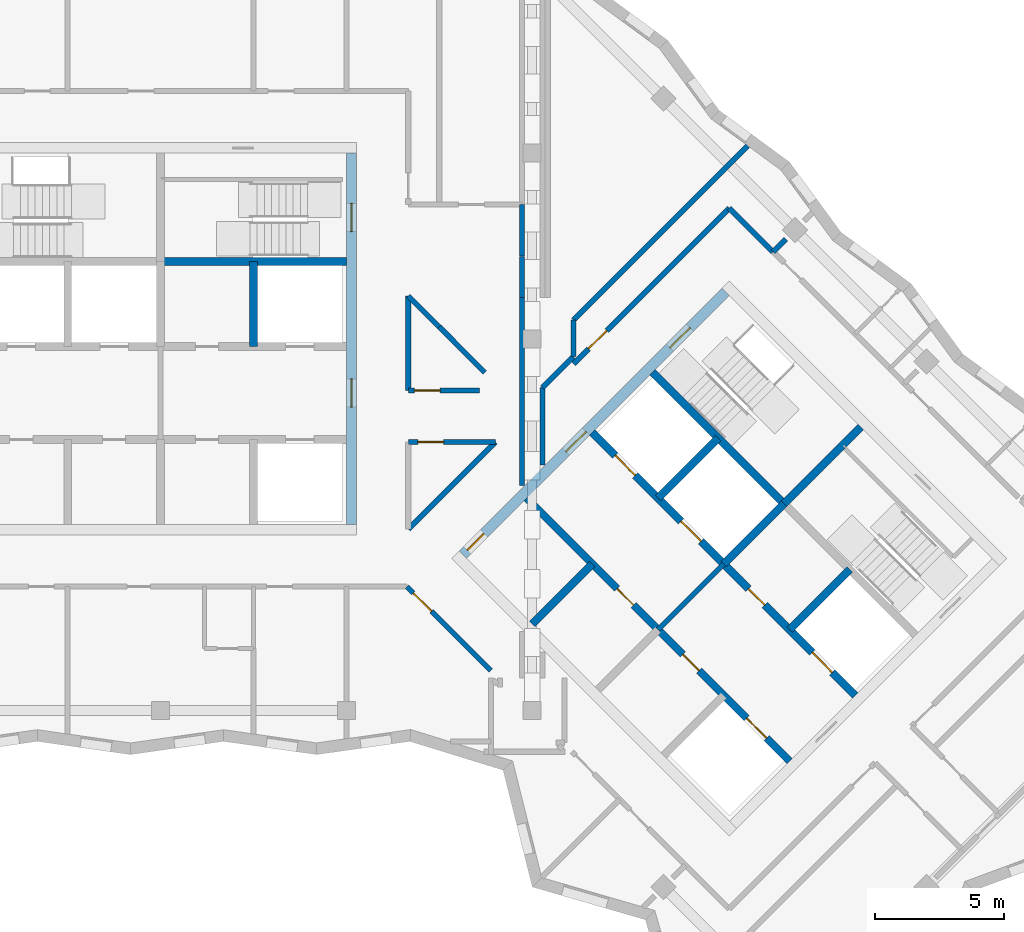
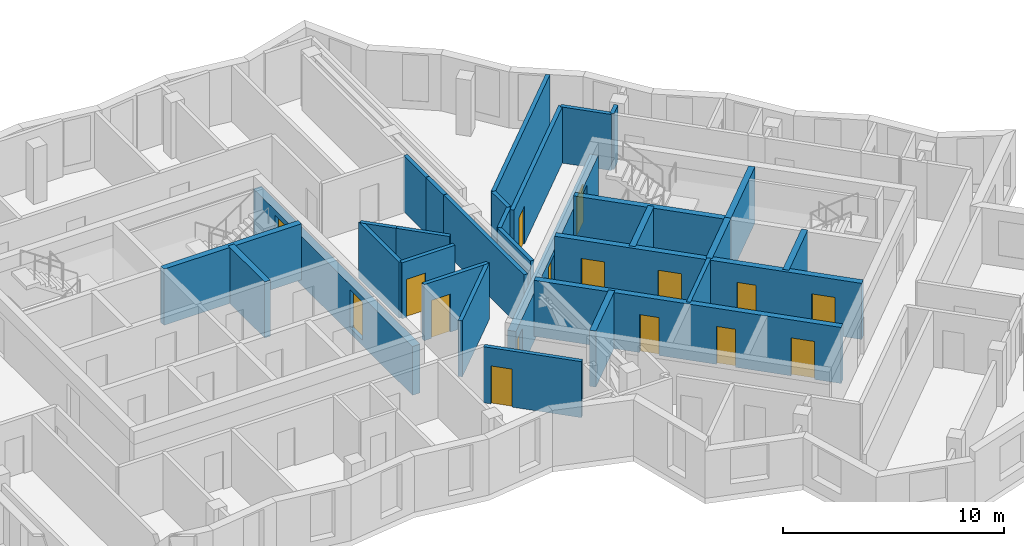
# One storey, part 5 of 12: 30 walls, 16 doors, 16 openings.
"""IFC4 building model written with IfcOpenShell, lengths in metres."""

from ifc_helpers import new_model, si_unit, direction, frame, frame_2d, origin, place, context, subcontext, project, spatial, rectangle, extrude, material, layer, layer_set, type_object, element, fill, save


model = new_model("IFC4")

# Units and contexts
model_context = context("Model", 3, precision=1e-05, world=origin(), true_north=direction((0.0, 1.0)))
body_context = subcontext(model_context, "Body", "Model", "MODEL_VIEW")
ifc_project = project(units=[si_unit("LENGTHUNIT", "METRE"), si_unit("AREAUNIT", "SQUARE_METRE"), si_unit("VOLUMEUNIT", "CUBIC_METRE"), si_unit("PLANEANGLEUNIT", "RADIAN"), si_unit("MASSUNIT", "GRAM", prefix="KILO")], contexts=[model_context])

# Site, building, storey
site_placement = place(None, origin())
site = spatial("IfcSite", under=ifc_project, at=site_placement, CompositionType="ELEMENT")
building_placement = place(site_placement, origin())
building = spatial("IfcBuilding", under=site, at=building_placement, Name="Windrow Commons", CompositionType="ELEMENT")
storey_placement = place(building_placement, frame((0.0, 0.0, 267.6)))
storey = spatial("IfcBuildingStorey", under=building, at=storey_placement, Name="L73", CompositionType="ELEMENT", Elevation=267.6)

# Wall
ifc_material_1 = material(Name="Blockwork partition", Category="masonry")
ifc_layer_1 = layer(ifc_material_1, 0.2)
ifc_layer_set_1 = layer_set([ifc_layer_1], Name="Fire lobby partition 200")
wall_type_1 = type_object("IfcWallType", Name="Fire lobby partition 200", PredefinedType="PARTITIONING", material=ifc_layer_set_1)
wall_1_placement = place(storey_placement, frame((84.079, 46.332, 0.0), z_axis=(0.0, 0.0, 1.0), x_axis=(0.7071067812, 0.7071067812, 0.0)))
element("IfcWall", 1, at=wall_1_placement, inside=storey, type_object=wall_type_1, Name="W-core-lobby-B-L73", PredefinedType="PARTITIONING", context=body_context, shape_type="SweptSolid", body=[
    extrude(rectangle(XDim=3.6, YDim=0.2, at=frame_2d((1.8, 0.0))), origin(), (0.0, 0.0, 1.0), 3.1),
])

# Wall, opening, door
ifc_material_2 = material(Name="Blockwork partition", Category="masonry")
ifc_layer_2 = layer(ifc_material_2, 0.2)
ifc_layer_set_2 = layer_set([ifc_layer_2], Name="IW-CORRIDOR-200")
wall_type_2 = type_object("IfcWallType", Name="IW-CORRIDOR-200", PredefinedType="PARTITIONING", material=ifc_layer_set_2)
wall_2_placement = place(storey_placement, frame((80.8015, 56.6325, 0.0), z_axis=(0.0, 0.0, 1.0), x_axis=(0.7071067812, 0.7071067812, 0.0)))
wall_2 = element("IfcWall", 2, at=wall_2_placement, inside=storey, type_object=wall_type_2, Name="W-L73-W020", PredefinedType="PARTITIONING", context=body_context, shape_type="SweptSolid", body=[
    extrude(rectangle(XDim=8.5334, YDim=0.2, at=frame_2d((4.2667, 0.0))), origin(), (0.0, 0.0, 1.0), 3.1),
])
opening_1_placement = place(wall_2_placement, frame((0.8172, 0.0, 0.0)))
opening_1 = element("IfcOpeningElement", 3, at=opening_1_placement, cuts=wall_2, Name="Opening D310F", PredefinedType="OPENING", context=body_context, shape_type="SweptSolid", body=[
    extrude(rectangle(XDim=1.0, YDim=2.1, at=frame_2d((0.5, 1.05))), frame((0.0, 0.11, 0.0), z_axis=(0.0, -1.0, 0.0), x_axis=(1.0, 0.0, 0.0)), (0.0, 0.0, 1.0), 0.22),
])
ifc_material_3 = material(Name="Timber door leaf", Category="wood")
door_type_1 = type_object("IfcDoorType", Name="DT-AMENITY-1000", OperationType="SINGLE_SWING_LEFT", PredefinedType="DOOR", material=ifc_material_3)
door_1_placement = place(opening_1_placement, origin())
door_1 = element("IfcDoor", 4, at=door_1_placement, inside=storey, type_object=door_type_1, Name="D-L73-D027", OperationType="SINGLE_SWING_RIGHT", OverallHeight=2.1, OverallWidth=1.0, PredefinedType="DOOR", context=body_context, shape_type="SweptSolid", body=[
    extrude(rectangle(XDim=1.0, YDim=2.1, at=frame_2d((0.5, 1.05))), frame((0.0, 0.025, 0.0), z_axis=(0.0, -1.0, 0.0), x_axis=(1.0, 0.0, 0.0)), (0.0, 0.0, 1.0), 0.05),
])
fill(opening_1, door_1)

# Walls
wall_3_placement = place(storey_placement, frame((78.8, 51.914, 0.0), z_axis=(0.0, 0.0, 1.0), x_axis=(0.0, 1.0, 0.0)))
element("IfcWall", 5, at=wall_3_placement, inside=storey, type_object=wall_type_2, Name="W-L73-W022", PredefinedType="PARTITIONING", context=body_context, shape_type="SweptSolid", body=[
    extrude(rectangle(XDim=7.28, YDim=0.2, at=frame_2d((3.64, 0.0))), origin(), (0.0, 0.0, 1.0), 3.1),
])
wall_4_placement = place(storey_placement, frame((74.4015, 50.2325, 0.0), z_axis=(0.0, 0.0, 1.0), x_axis=(0.7071067812, 0.7071067812, 0.0)))
element("IfcWall", 6, at=wall_4_placement, inside=storey, type_object=wall_type_2, Name="W-L73-W037", PredefinedType="PARTITIONING", context=body_context, shape_type="SweptSolid", body=[
    extrude(rectangle(XDim=4.7602, YDim=0.2, at=frame_2d((2.3801, 0.0))), origin(), (0.0, 0.0, 1.0), 3.1),
])

# Wall, opening, door
wall_5_placement = place(storey_placement, frame((74.3468, 47.9968, 0.0), z_axis=(0.0, 0.0, 1.0), x_axis=(0.7071067812, -0.7071067812, 0.0)))
wall_5 = element("IfcWall", 7, at=wall_5_placement, inside=storey, type_object=wall_type_2, Name="W-L73-W038", PredefinedType="PARTITIONING", context=body_context, shape_type="SweptSolid", body=[
    extrude(rectangle(XDim=4.5962, YDim=0.2, at=frame_2d((2.2981, 0.0))), origin(), (0.0, 0.0, 1.0), 3.1),
])
opening_2_placement = place(wall_5_placement, frame((0.3498, 0.0, 0.0)))
opening_2 = element("IfcOpeningElement", 8, at=opening_2_placement, cuts=wall_5, Name="Opening D310F", PredefinedType="OPENING", context=body_context, shape_type="SweptSolid", body=[
    extrude(rectangle(XDim=1.0, YDim=2.1, at=frame_2d((0.5, 1.05))), frame((0.0, 0.11, 0.0), z_axis=(0.0, -1.0, 0.0), x_axis=(1.0, 0.0, 0.0)), (0.0, 0.0, 1.0), 0.22),
])
door_2_placement = place(opening_2_placement, origin())
door_2 = element("IfcDoor", 9, at=door_2_placement, inside=storey, type_object=door_type_1, Name="D-L73-D013", OperationType="SINGLE_SWING_LEFT", OverallHeight=2.1, OverallWidth=1.0, PredefinedType="DOOR", context=body_context, shape_type="SweptSolid", body=[
    extrude(rectangle(XDim=1.0, YDim=2.1, at=frame_2d((0.5, 1.05))), frame((0.0, 0.025, 0.0), z_axis=(0.0, -1.0, 0.0), x_axis=(1.0, 0.0, 0.0)), (0.0, 0.0, 1.0), 0.05),
])
fill(opening_2, door_2)

# Wall
wall_6_placement = place(storey_placement, frame((74.4, 55.602, 0.0), z_axis=(0.0, 0.0, 1.0), x_axis=(0.0, 1.0, 0.0)))
element("IfcWall", 10, at=wall_6_placement, inside=storey, type_object=wall_type_2, Name="W-L73-W056", PredefinedType="PARTITIONING", context=body_context, shape_type="SweptSolid", body=[
    extrude(rectangle(XDim=3.66, YDim=0.2, at=frame_2d((1.83, 0.0))), origin(), (0.0, 0.0, 1.0), 3.1),
])

# Wall, opening, door
wall_7_placement = place(storey_placement, frame((74.402, 53.6, 0.0), z_axis=(0.0, 0.0, 1.0), x_axis=(1.0, 0.0, 0.0)))
wall_7 = element("IfcWall", 11, at=wall_7_placement, inside=storey, type_object=wall_type_2, Name="W-L73-W058", PredefinedType="PARTITIONING", context=body_context, shape_type="SweptSolid", body=[
    extrude(rectangle(XDim=3.366, YDim=0.2, at=frame_2d((1.683, 0.0))), origin(), (0.0, 0.0, 1.0), 3.1),
])
opening_3_placement = place(wall_7_placement, frame((0.3672, 0.0, 0.0)))
opening_3 = element("IfcOpeningElement", 12, at=opening_3_placement, cuts=wall_7, Name="Opening D310F", PredefinedType="OPENING", context=body_context, shape_type="SweptSolid", body=[
    extrude(rectangle(XDim=1.0, YDim=2.1, at=frame_2d((0.5, 1.05))), frame((0.0, 0.11, 0.0), z_axis=(0.0, -1.0, 0.0), x_axis=(1.0, 0.0, 0.0)), (0.0, 0.0, 1.0), 0.22),
])
door_3_placement = place(opening_3_placement, origin())
door_3 = element("IfcDoor", 13, at=door_3_placement, inside=storey, type_object=door_type_1, Name="D-L73-D000", OperationType="SINGLE_SWING_RIGHT", OverallHeight=2.1, OverallWidth=1.0, PredefinedType="DOOR", context=body_context, shape_type="SweptSolid", body=[
    extrude(rectangle(XDim=1.0, YDim=2.1, at=frame_2d((0.5, 1.05))), frame((0.0, 0.025, 0.0), z_axis=(0.0, -1.0, 0.0), x_axis=(1.0, 0.0, 0.0)), (0.0, 0.0, 1.0), 0.05),
])
fill(opening_3, door_3)

# Wall
wall_8_placement = place(storey_placement, frame((79.6, 52.714, 0.0), z_axis=(0.0, 0.0, 1.0), x_axis=(0.0, 1.0, 0.0)))
element("IfcWall", 14, at=wall_8_placement, inside=storey, type_object=wall_type_2, Name="W-L73-W061", PredefinedType="PARTITIONING", context=body_context, shape_type="SweptSolid", body=[
    extrude(rectangle(XDim=2.998, YDim=0.2, at=frame_2d((1.499, 0.0))), origin(), (0.0, 0.0, 1.0), 3.1),
])

# Wall, opening, door
wall_9_placement = place(storey_placement, frame((74.402, 55.6, 0.0), z_axis=(0.0, 0.0, 1.0), x_axis=(1.0, 0.0, 0.0)))
wall_9 = element("IfcWall", 15, at=wall_9_placement, inside=storey, type_object=wall_type_2, Name="W-L73-W069", PredefinedType="PARTITIONING", context=body_context, shape_type="SweptSolid", body=[
    extrude(rectangle(XDim=2.758, YDim=0.2, at=frame_2d((1.379, 0.0))), origin(), (0.0, 0.0, 1.0), 3.1),
])
opening_4_placement = place(wall_9_placement, frame((0.2309, 0.0, 0.0)))
opening_4 = element("IfcOpeningElement", 16, at=opening_4_placement, cuts=wall_9, Name="Opening D310F", PredefinedType="OPENING", context=body_context, shape_type="SweptSolid", body=[
    extrude(rectangle(XDim=1.0, YDim=2.1, at=frame_2d((0.5, 1.05))), frame((0.0, 0.11, 0.0), z_axis=(0.0, -1.0, 0.0), x_axis=(1.0, 0.0, 0.0)), (0.0, 0.0, 1.0), 0.22),
])
door_4_placement = place(opening_4_placement, origin())
door_4 = element("IfcDoor", 17, at=door_4_placement, inside=storey, type_object=door_type_1, Name="D-L73-D014", OperationType="SINGLE_SWING_LEFT", OverallHeight=2.1, OverallWidth=1.0, PredefinedType="DOOR", context=body_context, shape_type="SweptSolid", body=[
    extrude(rectangle(XDim=1.0, YDim=2.1, at=frame_2d((0.5, 1.05))), frame((0.0, 0.025, 0.0), z_axis=(0.0, -1.0, 0.0), x_axis=(1.0, 0.0, 0.0)), (0.0, 0.0, 1.0), 0.05),
])
fill(opening_4, door_4)

# Walls
wall_10_placement = place(storey_placement, frame((75.5988, 58.0628, 0.0), z_axis=(0.0, 0.0, 1.0), x_axis=(0.7067069471, -0.7075063893, 0.0)))
element("IfcWall", 18, at=wall_10_placement, inside=storey, type_object=wall_type_2, Name="W-L73-W074", PredefinedType="PARTITIONING", context=body_context, shape_type="SweptSolid", body=[
    extrude(rectangle(XDim=2.5017, YDim=0.2, at=frame_2d((1.2509, 0.0))), origin(), (0.0, 0.0, 1.0), 3.1),
])
wall_11_placement = place(storey_placement, frame((86.8333, 62.6633, 0.0), z_axis=(0.0, 0.0, 1.0), x_axis=(0.7075233388, -0.706689978, 0.0)))
element("IfcWall", 19, at=wall_11_placement, inside=storey, type_object=wall_type_2, Name="W-L73-W079", PredefinedType="PARTITIONING", context=body_context, shape_type="SweptSolid", body=[
    extrude(rectangle(XDim=2.3999, YDim=0.2, at=frame_2d((1.2, 0.0))), origin(), (0.0, 0.0, 1.0), 3.1),
])
wall_12_placement = place(storey_placement, frame((78.8, 60.806, 0.0), z_axis=(0.0, 0.0, 1.0), x_axis=(0.0, 1.0, 0.0)))
element("IfcWall", 20, at=wall_12_placement, inside=storey, type_object=wall_type_2, Name="W-L73-W092", PredefinedType="PARTITIONING", context=body_context, shape_type="SweptSolid", body=[
    extrude(rectangle(XDim=1.994, YDim=0.2, at=frame_2d((0.997, 0.0))), origin(), (0.0, 0.0, 1.0), 3.1),
])
wall_13_placement = place(storey_placement, frame((79.599, 55.713, 0.0), z_axis=(0.0, 0.0, 1.0), x_axis=(0.7071067812, 0.7071067812, 0.0)))
element("IfcWall", 21, at=wall_13_placement, inside=storey, type_object=wall_type_2, Name="W-L73-W097", PredefinedType="PARTITIONING", context=body_context, shape_type="SweptSolid", body=[
    extrude(rectangle(XDim=1.6971, YDim=0.2, at=frame_2d((0.8486, 0.0))), origin(), (0.0, 0.0, 1.0), 3.1),
])
wall_14_placement = place(storey_placement, frame((74.3987, 59.2587, 0.0), z_axis=(0.0, 0.0, 1.0), x_axis=(0.7071067812, -0.7071067812, 0.0)))
element("IfcWall", 22, at=wall_14_placement, inside=storey, type_object=wall_type_2, Name="W-L73-W098", PredefinedType="PARTITIONING", context=body_context, shape_type="SweptSolid", body=[
    extrude(rectangle(XDim=1.6942, YDim=0.2, at=frame_2d((0.8471, 0.0))), origin(), (0.0, 0.0, 1.0), 3.1),
])
wall_15_placement = place(storey_placement, frame((78.8, 59.2, 0.0), z_axis=(0.0, 0.0, 1.0), x_axis=(0.0, 1.0, 0.0)))
element("IfcWall", 23, at=wall_15_placement, inside=storey, type_object=wall_type_2, Name="W-L73-W102", PredefinedType="PARTITIONING", context=body_context, shape_type="SweptSolid", body=[
    extrude(rectangle(XDim=1.6, YDim=0.2, at=frame_2d((0.8, 0.0))), origin(), (0.0, 0.0, 1.0), 3.1),
])
ifc_material_4 = material(Name="Blockwork partition", Category="masonry")
ifc_layer_3 = layer(ifc_material_4, 0.2)
ifc_layer_set_3 = layer_set([ifc_layer_3], Name="IW-PARTY-200")
wall_type_3 = type_object("IfcWallType", Name="IW-PARTY-200", PredefinedType="PARTITIONING", material=ifc_layer_set_3)
wall_16_placement = place(storey_placement, frame((80.7989, 58.3271, 0.0), z_axis=(0.0, 0.0, 1.0), x_axis=(0.7071120163, 0.707101546, 0.0)))
element("IfcWall", 24, at=wall_16_placement, inside=storey, type_object=wall_type_3, Name="W-L73-W016", PredefinedType="PARTITIONING", context=body_context, shape_type="SweptSolid", body=[
    extrude(rectangle(XDim=9.5508, YDim=0.2, at=frame_2d((4.7754, 0.0))), origin(), (0.0, 0.0, 1.0), 3.1),
])
wall_17_placement = place(storey_placement, frame((80.8, 56.912, 0.0), z_axis=(0.0, 0.0, 1.0), x_axis=(0.0, 1.0, 0.0)))
element("IfcWall", 25, at=wall_17_placement, inside=storey, type_object=wall_type_3, Name="W-L73-W110", PredefinedType="PARTITIONING", context=body_context, shape_type="SweptSolid", body=[
    extrude(rectangle(XDim=1.414, YDim=0.2, at=frame_2d((0.707, 0.0))), origin(), (0.0, 0.0, 1.0), 3.1),
])
wall_18_placement = place(storey_placement, frame((88.5335, 60.9705, 0.0), z_axis=(0.0, 0.0, 1.0), x_axis=(0.7071067812, 0.7071067812, 0.0)))
element("IfcWall", 26, at=wall_18_placement, inside=storey, type_object=wall_type_3, Name="W-L73-W126", PredefinedType="PARTITIONING", context=body_context, shape_type="SweptSolid", body=[
    extrude(rectangle(XDim=0.7043, YDim=0.2, at=frame_2d((0.3522, 0.0))), origin(), (0.0, 0.0, 1.0), 3.1),
])

# Wall, openings, doors
ifc_material_5 = material(Name="Concrete C40/50", Category="concrete")
ifc_layer_4 = layer(ifc_material_5, 0.4)
ifc_layer_set_4 = layer_set([ifc_layer_4], Name="RC CORE WALL 400 C40/50")
wall_type_4 = type_object("IfcWallType", Name="RC CORE WALL 400 C40/50", PredefinedType="SHEAR", material=ifc_layer_set_4)
wall_19_placement = place(storey_placement, frame((72.2, 50.4, -0.3), z_axis=(0.0, 0.0, 1.0), x_axis=(0.0, 1.0, 0.0)))
wall_19 = element("IfcWall", 27, at=wall_19_placement, inside=storey, type_object=wall_type_4, Name="Core A wall outer-E", PredefinedType="SHEAR", context=body_context, shape_type="SweptSolid", body=[
    extrude(rectangle(XDim=14.4, YDim=0.4, at=frame_2d((7.2, 0.0))), origin(), (0.0, 0.0, 1.0), 2.7),
])
opening_5_placement = place(wall_19_placement, frame((4.55, 0.0, 0.3)))
opening_5 = element("IfcOpeningElement", 28, at=opening_5_placement, cuts=wall_19, Name="Opening D6", PredefinedType="OPENING", context=body_context, shape_type="SweptSolid", body=[
    extrude(rectangle(XDim=1.1, YDim=2.1, at=frame_2d((0.55, 1.05))), frame((0.0, 0.21, 0.0), z_axis=(0.0, -1.0, 0.0), x_axis=(1.0, 0.0, 0.0)), (0.0, 0.0, 1.0), 0.42),
])
opening_6_placement = place(wall_19_placement, frame((11.35, 0.0, 0.3)))
opening_6 = element("IfcOpeningElement", 29, at=opening_6_placement, cuts=wall_19, Name="Opening D7", PredefinedType="OPENING", context=body_context, shape_type="SweptSolid", body=[
    extrude(rectangle(XDim=1.1, YDim=2.1, at=frame_2d((0.55, 1.05))), frame((0.0, 0.21, 0.0), z_axis=(0.0, -1.0, 0.0), x_axis=(1.0, 0.0, 0.0)), (0.0, 0.0, 1.0), 0.42),
])
ifc_material_6 = material(Name="Steel fire door leaf", Category="steel")
door_type_2 = type_object("IfcDoorType", Name="Core lobby door 1100", OperationType="SINGLE_SWING_LEFT", PredefinedType="DOOR", material=ifc_material_6)
door_5_placement = place(opening_5_placement, origin())
door_5 = element("IfcDoor", 30, at=door_5_placement, inside=storey, type_object=door_type_2, Name="Lift lobby door", OperationType="DOUBLE_DOOR_SINGLE_SWING", OverallHeight=2.1, OverallWidth=1.1, PredefinedType="DOOR", context=body_context, shape_type="SweptSolid", body=[
    extrude(rectangle(XDim=1.1, YDim=2.1, at=frame_2d((0.55, 1.05))), frame((0.0, 0.025, 0.0), z_axis=(0.0, -1.0, 0.0), x_axis=(1.0, 0.0, 0.0)), (0.0, 0.0, 1.0), 0.05),
])
fill(opening_5, door_5)
ifc_material_7 = material(Name="Steel fire door leaf", Category="steel")
door_type_3 = type_object("IfcDoorType", Name="Stair door 1100", OperationType="SINGLE_SWING_LEFT", PredefinedType="DOOR", material=ifc_material_7)
door_6_placement = place(opening_6_placement, origin())
door_6 = element("IfcDoor", 31, at=door_6_placement, inside=storey, type_object=door_type_3, Name="Stair door", OperationType="SINGLE_SWING_RIGHT", OverallHeight=2.1, OverallWidth=1.1, PredefinedType="DOOR", context=body_context, shape_type="SweptSolid", body=[
    extrude(rectangle(XDim=1.1, YDim=2.1, at=frame_2d((0.55, 1.05))), frame((0.0, 0.025, 0.0), z_axis=(0.0, -1.0, 0.0), x_axis=(1.0, 0.0, 0.0)), (0.0, 0.0, 1.0), 0.05),
])
fill(opening_6, door_6)

wall_20_placement = place(storey_placement, frame((76.513, 49.2312, -0.3), z_axis=(0.0, 0.0, 1.0), x_axis=(0.7071067812, 0.7071067812, 0.0)))
wall_20 = element("IfcWall", 32, at=wall_20_placement, inside=storey, type_object=wall_type_4, Name="Core B wall outer-W", PredefinedType="SHEAR", context=body_context, shape_type="SweptSolid", body=[
    extrude(rectangle(XDim=14.3999, YDim=0.4, at=frame_2d((7.2, 0.0))), origin(), (0.0, 0.0, 1.0), 2.7),
])
opening_7_placement = place(wall_20_placement, frame((5.65, 0.0, 0.3)))
opening_7 = element("IfcOpeningElement", 33, at=opening_7_placement, cuts=wall_20, Name="Opening D6", PredefinedType="OPENING", context=body_context, shape_type="SweptSolid", body=[
    extrude(rectangle(XDim=1.1, YDim=2.1, at=frame_2d((0.55, 1.05))), frame((0.0, 0.21, 0.0), z_axis=(0.0, -1.0, 0.0), x_axis=(1.0, 0.0, 0.0)), (0.0, 0.0, 1.0), 0.42),
])
opening_8_placement = place(wall_20_placement, frame((11.35, 0.0, 0.3)))
opening_8 = element("IfcOpeningElement", 34, at=opening_8_placement, cuts=wall_20, Name="Opening D7", PredefinedType="OPENING", context=body_context, shape_type="SweptSolid", body=[
    extrude(rectangle(XDim=1.1, YDim=2.1, at=frame_2d((0.55, 1.05))), frame((0.0, 0.21, 0.0), z_axis=(0.0, -1.0, 0.0), x_axis=(1.0, 0.0, 0.0)), (0.0, 0.0, 1.0), 0.42),
])
opening_9_placement = place(wall_20_placement, frame((0.25, 0.0, 0.0)))
opening_9 = element("IfcOpeningElement", 35, at=opening_9_placement, cuts=wall_20, Name="Opening D8", PredefinedType="OPENING", context=body_context, shape_type="SweptSolid", body=[
    extrude(rectangle(XDim=0.9, YDim=2.1, at=frame_2d((0.45, 1.05))), frame((0.0, 0.21, 0.0), z_axis=(0.0, -1.0, 0.0), x_axis=(1.0, 0.0, 0.0)), (0.0, 0.0, 1.0), 0.42),
])
door_7_placement = place(opening_7_placement, origin())
door_7 = element("IfcDoor", 36, at=door_7_placement, inside=storey, type_object=door_type_2, Name="Lift lobby door", OperationType="DOUBLE_DOOR_SINGLE_SWING", OverallHeight=2.1, OverallWidth=1.1, PredefinedType="DOOR", context=body_context, shape_type="SweptSolid", body=[
    extrude(rectangle(XDim=1.1, YDim=2.1, at=frame_2d((0.55, 1.05))), frame((0.0, 0.025, 0.0), z_axis=(0.0, -1.0, 0.0), x_axis=(1.0, 0.0, 0.0)), (0.0, 0.0, 1.0), 0.05),
])
fill(opening_7, door_7)
ifc_material_8 = material(Name="Steel fire door leaf", Category="steel")
door_type_4 = type_object("IfcDoorType", Name="Core store door 900", OperationType="SINGLE_SWING_LEFT", PredefinedType="DOOR", material=ifc_material_8)
door_8_placement = place(opening_9_placement, origin())
door_8 = element("IfcDoor", 37, at=door_8_placement, inside=storey, type_object=door_type_4, Name="Store door", OperationType="SINGLE_SWING_LEFT", OverallHeight=2.1, OverallWidth=0.9, PredefinedType="DOOR", context=body_context, shape_type="SweptSolid", body=[
    extrude(rectangle(XDim=0.9, YDim=2.1, at=frame_2d((0.45, 1.05))), frame((0.0, 0.025, 0.0), z_axis=(0.0, -1.0, 0.0), x_axis=(1.0, 0.0, 0.0)), (0.0, 0.0, 1.0), 0.05),
])
fill(opening_9, door_8)
door_9_placement = place(opening_8_placement, origin())
door_9 = element("IfcDoor", 38, at=door_9_placement, inside=storey, type_object=door_type_3, Name="Stair door", OperationType="SINGLE_SWING_LEFT", OverallHeight=2.1, OverallWidth=1.1, PredefinedType="DOOR", context=body_context, shape_type="SweptSolid", body=[
    extrude(rectangle(XDim=1.1, YDim=2.1, at=frame_2d((0.55, 1.05))), frame((0.0, 0.025, 0.0), z_axis=(0.0, -1.0, 0.0), x_axis=(1.0, 0.0, 0.0)), (0.0, 0.0, 1.0), 0.05),
])
fill(opening_8, door_9)

# Walls
ifc_material_9 = material(Name="Concrete C40/50", Category="concrete")
ifc_layer_5 = layer(ifc_material_9, 0.3)
ifc_layer_set_5 = layer_set([ifc_layer_5], Name="RC SHAFT WALL 300 C40/50")
wall_type_5 = type_object("IfcWallType", Name="RC SHAFT WALL 300 C40/50", PredefinedType="SOLIDWALL", material=ifc_layer_set_5)
wall_21_placement = place(storey_placement, frame((68.4, 57.3, 0.0), z_axis=(0.0, 0.0, 1.0), x_axis=(0.0, 1.0, 0.0)))
element("IfcWall", 39, at=wall_21_placement, inside=storey, type_object=wall_type_5, Name="Core A wall shaft-N3", PredefinedType="SOLIDWALL", context=body_context, shape_type="SweptSolid", body=[
    extrude(rectangle(XDim=3.3, YDim=0.3, at=frame_2d((1.65, 0.0))), origin(), (0.0, 0.0, 1.0), 3.1),
])
wall_22_placement = place(storey_placement, frame((64.8, 60.6, 0.0), z_axis=(0.0, 0.0, 1.0), x_axis=(1.0, 0.0, 0.0)))
element("IfcWall", 40, at=wall_22_placement, inside=storey, type_object=wall_type_5, Name="Core A wall stair-S2", PredefinedType="SOLIDWALL", context=body_context, shape_type="SweptSolid", body=[
    extrude(rectangle(XDim=7.2, YDim=0.3, at=frame_2d((3.6, 0.0))), origin(), (0.0, 0.0, 1.0), 3.1),
])
for number, where, z_axis, x_axis, name in (
    (41, (79.2, 46.5442, 0.0), (0.0, 0.0, 1.0), (0.7071219326, 0.7070916295, 0.0), "Core B wall shaft-S1"),
    (42, (84.079, 51.4232, 0.0), (0.0, 0.0, 1.0), (0.7071219326, 0.7070916295, 0.0), "Core B wall shaft-N1"),
):
    element("IfcWall", number, at=place(storey_placement, frame(where, z_axis=z_axis, x_axis=x_axis)), inside=storey, type_object=wall_type_5, Name=name, PredefinedType="SOLIDWALL", context=body_context, shape_type="SweptSolid", body=[
        extrude(rectangle(XDim=3.3, YDim=0.3, at=frame_2d((1.65, 0.0))), origin(), (0.0, 0.0, 1.0), 3.1),
    ])
for number, where, z_axis, x_axis, name in (
    (43, (86.6246, 48.8776, 0.0), (0.0, 0.0, 1.0), (0.7071067812, 0.7071067812, 0.0), "Core B wall shaft-N2"),
    (44, (89.1702, 46.332, 0.0), (0.0, 0.0, 1.0), (0.7071067812, 0.7071067812, 0.0), "Core B wall shaft-N3"),
):
    element("IfcWall", number, at=place(storey_placement, frame(where, z_axis=z_axis, x_axis=x_axis)), inside=storey, type_object=wall_type_5, Name=name, PredefinedType="SOLIDWALL", context=body_context, shape_type="SweptSolid", body=[
        extrude(rectangle(XDim=3.3001, YDim=0.3, at=frame_2d((1.6501, 0.0))), origin(), (0.0, 0.0, 1.0), 3.1),
    ])

# Wall, openings, doors
wall_23_placement = place(storey_placement, frame((78.9879, 51.4232, 0.0), z_axis=(0.0, 0.0, 1.0), x_axis=(0.7071067812, -0.7071067812, 0.0)))
wall_23 = element("IfcWall", 45, at=wall_23_placement, inside=storey, type_object=wall_type_5, Name="Core B wall lobby-S", PredefinedType="SOLIDWALL", context=body_context, shape_type="SweptSolid", body=[
    extrude(rectangle(XDim=14.3999, YDim=0.3, at=frame_2d((7.2, 0.0))), origin(), (0.0, 0.0, 1.0), 3.1),
])
opening_10_placement = place(wall_23_placement, frame((4.95, 0.0, 0.0)))
opening_10 = element("IfcOpeningElement", 46, at=opening_10_placement, cuts=wall_23, Name="Opening D8", PredefinedType="OPENING", context=body_context, shape_type="SweptSolid", body=[
    extrude(rectangle(XDim=0.9, YDim=2.1, at=frame_2d((0.45, 1.05))), frame((0.0, 0.16, 0.0), z_axis=(0.0, -1.0, 0.0), x_axis=(1.0, 0.0, 0.0)), (0.0, 0.0, 1.0), 0.32),
])
opening_11_placement = place(wall_23_placement, frame((8.55, 0.0, 0.0)))
opening_11 = element("IfcOpeningElement", 47, at=opening_11_placement, cuts=wall_23, Name="Opening D8", PredefinedType="OPENING", context=body_context, shape_type="SweptSolid", body=[
    extrude(rectangle(XDim=0.9, YDim=2.1, at=frame_2d((0.45, 1.05))), frame((0.0, 0.16, 0.0), z_axis=(0.0, -1.0, 0.0), x_axis=(1.0, 0.0, 0.0)), (0.0, 0.0, 1.0), 0.32),
])
opening_12_placement = place(wall_23_placement, frame((12.05, 0.0, 0.0)))
opening_12 = element("IfcOpeningElement", 48, at=opening_12_placement, cuts=wall_23, Name="Opening LD", PredefinedType="OPENING", context=body_context, shape_type="SweptSolid", body=[
    extrude(rectangle(XDim=1.1, YDim=2.1, at=frame_2d((0.55, 1.05))), frame((0.0, 0.16, 0.0), z_axis=(0.0, -1.0, 0.0), x_axis=(1.0, 0.0, 0.0)), (0.0, 0.0, 1.0), 0.32),
])
door_10_placement = place(opening_10_placement, origin())
door_10 = element("IfcDoor", 49, at=door_10_placement, inside=storey, type_object=door_type_4, Name="Store door", OperationType="SINGLE_SWING_LEFT", OverallHeight=2.1, OverallWidth=0.9, PredefinedType="DOOR", context=body_context, shape_type="SweptSolid", body=[
    extrude(rectangle(XDim=0.9, YDim=2.1, at=frame_2d((0.45, 1.05))), frame((0.0, 0.025, 0.0), z_axis=(0.0, -1.0, 0.0), x_axis=(1.0, 0.0, 0.0)), (0.0, 0.0, 1.0), 0.05),
])
fill(opening_10, door_10)
door_11_placement = place(opening_11_placement, origin())
door_11 = element("IfcDoor", 50, at=door_11_placement, inside=storey, type_object=door_type_4, Name="Store door", OperationType="SINGLE_SWING_LEFT", OverallHeight=2.1, OverallWidth=0.9, PredefinedType="DOOR", context=body_context, shape_type="SweptSolid", body=[
    extrude(rectangle(XDim=0.9, YDim=2.1, at=frame_2d((0.45, 1.05))), frame((0.0, 0.025, 0.0), z_axis=(0.0, -1.0, 0.0), x_axis=(1.0, 0.0, 0.0)), (0.0, 0.0, 1.0), 0.05),
])
fill(opening_11, door_11)
ifc_material_10 = material(Name="Stainless steel door leaf", Category="steel")
door_type_5 = type_object("IfcDoorType", Name="Lift landing door 1100", OperationType="SLIDING_TO_LEFT", PredefinedType="DOOR", material=ifc_material_10)
door_12_placement = place(opening_12_placement, origin())
door_12 = element("IfcDoor", 51, at=door_12_placement, inside=storey, type_object=door_type_5, Name="Lift landing door", OperationType="SLIDING_TO_RIGHT", OverallHeight=2.1, OverallWidth=1.1, PredefinedType="DOOR", context=body_context, shape_type="SweptSolid", body=[
    extrude(rectangle(XDim=1.1, YDim=2.1, at=frame_2d((0.55, 1.05))), frame((0.0, 0.025, 0.0), z_axis=(0.0, -1.0, 0.0), x_axis=(1.0, 0.0, 0.0)), (0.0, 0.0, 1.0), 0.05),
])
fill(opening_12, door_12)

wall_24_placement = place(storey_placement, frame((81.5335, 53.9688, 0.0), z_axis=(0.0, 0.0, 1.0), x_axis=(0.707103309, -0.7071102534, 0.0)))
wall_24 = element("IfcWall", 52, at=wall_24_placement, inside=storey, type_object=wall_type_5, Name="Core B wall lobby-N", PredefinedType="SOLIDWALL", context=body_context, shape_type="SweptSolid", body=[
    extrude(rectangle(XDim=14.4, YDim=0.3, at=frame_2d((7.2, 0.0))), origin(), (0.0, 0.0, 1.0), 3.1),
])
opening_13_placement = place(wall_24_placement, frame((8.55, 0.0, 0.0)))
opening_13 = element("IfcOpeningElement", 53, at=opening_13_placement, cuts=wall_24, Name="Opening D8", PredefinedType="OPENING", context=body_context, shape_type="SweptSolid", body=[
    extrude(rectangle(XDim=0.9, YDim=2.1, at=frame_2d((0.45, 1.05))), frame((0.0, 0.16, 0.0), z_axis=(0.0, -1.0, 0.0), x_axis=(1.0, 0.0, 0.0)), (0.0, 0.0, 1.0), 0.32),
])
opening_14_placement = place(wall_24_placement, frame((1.25, 0.0, 0.0)))
opening_14 = element("IfcOpeningElement", 54, at=opening_14_placement, cuts=wall_24, Name="Opening LD", PredefinedType="OPENING", context=body_context, shape_type="SweptSolid", body=[
    extrude(rectangle(XDim=1.1, YDim=2.1, at=frame_2d((0.55, 1.05))), frame((0.0, 0.16, 0.0), z_axis=(0.0, -1.0, 0.0), x_axis=(1.0, 0.0, 0.0)), (0.0, 0.0, 1.0), 0.32),
])
opening_15_placement = place(wall_24_placement, frame((4.85, 0.0, 0.0)))
opening_15 = element("IfcOpeningElement", 55, at=opening_15_placement, cuts=wall_24, Name="Opening LD", PredefinedType="OPENING", context=body_context, shape_type="SweptSolid", body=[
    extrude(rectangle(XDim=1.1, YDim=2.1, at=frame_2d((0.55, 1.05))), frame((0.0, 0.16, 0.0), z_axis=(0.0, -1.0, 0.0), x_axis=(1.0, 0.0, 0.0)), (0.0, 0.0, 1.0), 0.32),
])
opening_16_placement = place(wall_24_placement, frame((12.05, 0.0, 0.0)))
opening_16 = element("IfcOpeningElement", 56, at=opening_16_placement, cuts=wall_24, Name="Opening LD", PredefinedType="OPENING", context=body_context, shape_type="SweptSolid", body=[
    extrude(rectangle(XDim=1.1, YDim=2.1, at=frame_2d((0.55, 1.05))), frame((0.0, 0.16, 0.0), z_axis=(0.0, -1.0, 0.0), x_axis=(1.0, 0.0, 0.0)), (0.0, 0.0, 1.0), 0.32),
])
door_13_placement = place(opening_13_placement, origin())
door_13 = element("IfcDoor", 57, at=door_13_placement, inside=storey, type_object=door_type_4, Name="Store door", OperationType="SINGLE_SWING_LEFT", OverallHeight=2.1, OverallWidth=0.9, PredefinedType="DOOR", context=body_context, shape_type="SweptSolid", body=[
    extrude(rectangle(XDim=0.9, YDim=2.1, at=frame_2d((0.45, 1.05))), frame((0.0, 0.025, 0.0), z_axis=(0.0, -1.0, 0.0), x_axis=(1.0, 0.0, 0.0)), (0.0, 0.0, 1.0), 0.05),
])
fill(opening_13, door_13)
door_14_placement = place(opening_14_placement, origin())
door_14 = element("IfcDoor", 58, at=door_14_placement, inside=storey, type_object=door_type_5, Name="Lift landing door", OperationType="SLIDING_TO_LEFT", OverallHeight=2.1, OverallWidth=1.1, PredefinedType="DOOR", context=body_context, shape_type="SweptSolid", body=[
    extrude(rectangle(XDim=1.1, YDim=2.1, at=frame_2d((0.55, 1.05))), frame((0.0, 0.025, 0.0), z_axis=(0.0, -1.0, 0.0), x_axis=(1.0, 0.0, 0.0)), (0.0, 0.0, 1.0), 0.05),
])
fill(opening_14, door_14)
door_15_placement = place(opening_15_placement, origin())
door_15 = element("IfcDoor", 59, at=door_15_placement, inside=storey, type_object=door_type_5, Name="Lift landing door", OperationType="SLIDING_TO_RIGHT", OverallHeight=2.1, OverallWidth=1.1, PredefinedType="DOOR", context=body_context, shape_type="SweptSolid", body=[
    extrude(rectangle(XDim=1.1, YDim=2.1, at=frame_2d((0.55, 1.05))), frame((0.0, 0.025, 0.0), z_axis=(0.0, -1.0, 0.0), x_axis=(1.0, 0.0, 0.0)), (0.0, 0.0, 1.0), 0.05),
])
fill(opening_15, door_15)
door_16_placement = place(opening_16_placement, origin())
door_16 = element("IfcDoor", 60, at=door_16_placement, inside=storey, type_object=door_type_5, Name="Lift landing door", OperationType="SLIDING_TO_RIGHT", OverallHeight=2.1, OverallWidth=1.1, PredefinedType="DOOR", context=body_context, shape_type="SweptSolid", body=[
    extrude(rectangle(XDim=1.1, YDim=2.1, at=frame_2d((0.55, 1.05))), frame((0.0, 0.025, 0.0), z_axis=(0.0, -1.0, 0.0), x_axis=(1.0, 0.0, 0.0)), (0.0, 0.0, 1.0), 0.05),
])
fill(opening_16, door_16)

# Walls
wall_25_placement = place(storey_placement, frame((83.8669, 56.3022, 0.0), z_axis=(0.0, 0.0, 1.0), x_axis=(0.7071137256, -0.7070998367, 0.0)))
element("IfcWall", 61, at=wall_25_placement, inside=storey, type_object=wall_type_5, Name="Core B wall stair-S", PredefinedType="SOLIDWALL", context=body_context, shape_type="SweptSolid", body=[
    extrude(rectangle(XDim=7.2, YDim=0.3, at=frame_2d((3.6, 0.0))), origin(), (0.0, 0.0, 1.0), 3.1),
])
wall_26_placement = place(storey_placement, frame((88.9581, 51.2111, 0.0), z_axis=(0.0, 0.0, 1.0), x_axis=(0.7071067812, 0.7071067812, 0.0)))
element("IfcWall", 62, at=wall_26_placement, inside=storey, type_object=wall_type_5, Name="Core B wall stair-mid", PredefinedType="SOLIDWALL", context=body_context, shape_type="SweptSolid", body=[
    extrude(rectangle(XDim=4.1999, YDim=0.3, at=frame_2d((2.1, 0.0))), origin(), (0.0, 0.0, 1.0), 3.1),
])

save(model, "model.ifc")
